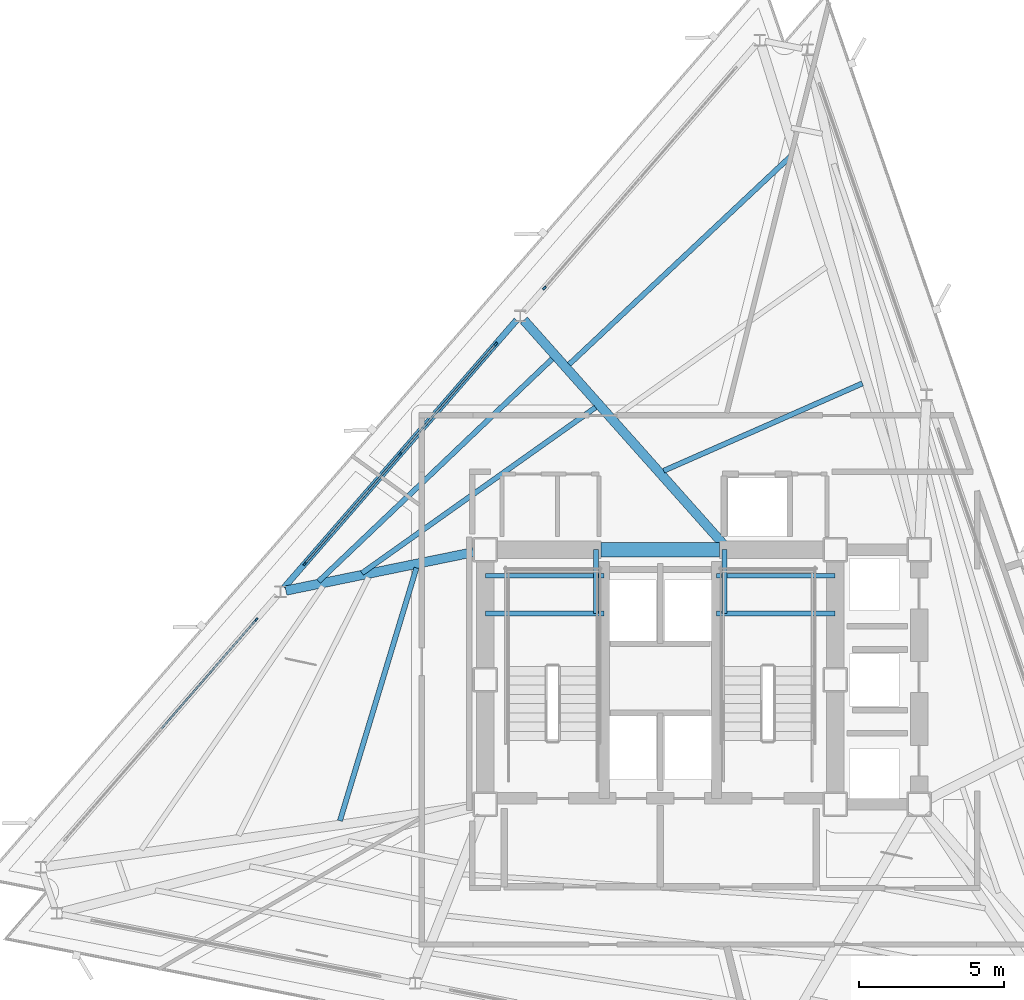
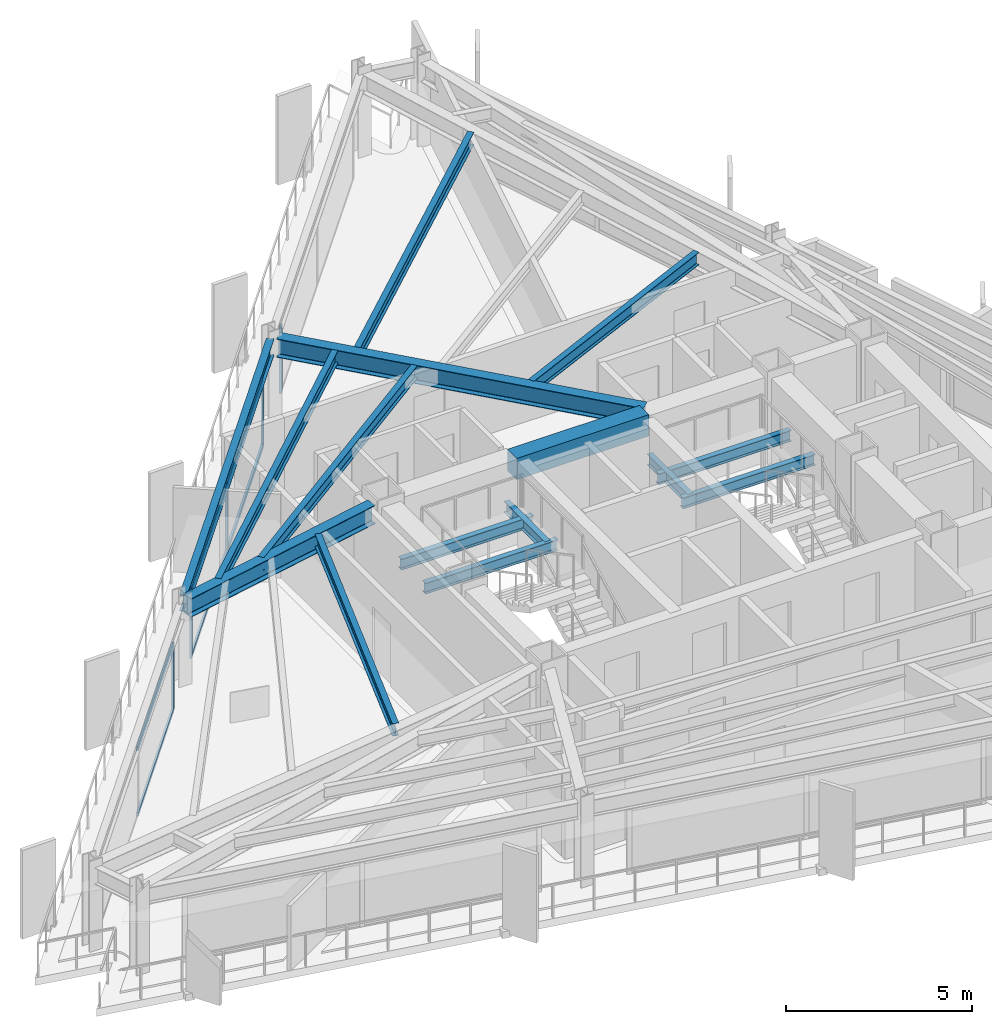
# One storey, part 4 of 13: 15 beams, 11 members, 3 elements without a shape of their own.
"""IFC4 building model written with IfcOpenShell, lengths in metres."""

from ifc_helpers import new_model, si_unit, direction, frame, origin, origin_2d, place, context, subcontext, project, spatial, rectangle, i_section, extrude, material, layer, layer_set, material_profile, profile_set, type_object, element, aggregate, save


model = new_model("IFC4")

# Units and contexts
model_context = context("Model", 3, precision=1e-05, world=origin(), true_north=direction((0.0, 1.0)))
body_context = subcontext(model_context, "Body", "Model", "MODEL_VIEW")
ifc_project = project(units=[si_unit("LENGTHUNIT", "METRE"), si_unit("AREAUNIT", "SQUARE_METRE"), si_unit("VOLUMEUNIT", "CUBIC_METRE"), si_unit("PLANEANGLEUNIT", "RADIAN"), si_unit("MASSUNIT", "GRAM", prefix="KILO")], contexts=[model_context])

# Site, building, storey
site_placement = place(None, origin())
site = spatial("IfcSite", under=ifc_project, at=site_placement, CompositionType="ELEMENT")
building_placement = place(site_placement, origin())
building = spatial("IfcBuilding", under=site, at=building_placement, Name="Rocaltana Carrier Exchange", CompositionType="ELEMENT")
storey_placement = place(building_placement, frame((0.0, 0.0, 153.280029296875)))
storey = spatial("IfcBuildingStorey", under=building, at=storey_placement, Name="L48", CompositionType="ELEMENT", Elevation=153.280029296875)

# Curtain wall, member
ifc_material_1 = material(Name="Aluminium 6063-T6", Category="aluminium")
ifc_layer = layer(ifc_material_1, 0.135009765625)
ifc_layer_set = layer_set([ifc_layer], Name="Aluminium 6063-T6")
curtain_wall_type = type_object("IfcCurtainWallType", Name="Upper-Mid Acoustic Curtain Wall CW-04", PredefinedType="NOTDEFINED", material=ifc_layer_set)
curtain_wall_1_placement = place(storey_placement, origin())
curtain_wall_1 = element("IfcCurtainWall", 1, at=curtain_wall_1_placement, inside=storey, type_object=curtain_wall_type, Name="L48 CW-04 Run CW-L48-F2S1", PredefinedType="NOTDEFINED")
ifc_material_2 = material(Name="Aluminium 6063-T6", Category="aluminium")
ifc_material_profile_1 = material_profile(ifc_material_2, rectangle(XDim=0.06494140625, YDim=0.135009765625, at=origin_2d()), Name="AL-65X135")
ifc_profile_set_1 = profile_set([ifc_material_profile_1], Name="Aluminium 6063-T6")
member_type_1 = type_object("IfcMemberType", Name="CW-04 Mullion AL-65X135", PredefinedType="MULLION", material=ifc_profile_set_1)
member_1_placement = place(storey_placement, frame((-4.005859375, 13.55126953125, 0.0), z_axis=(0.0, 0.0, 1.0), x_axis=(0.75471173919, -0.656056545375, 0.0)))
member_1 = element("IfcMember", 2, at=member_1_placement, type_object=member_type_1, Name="CW-04 mullion 3", PredefinedType="MULLION", context=body_context, shape_type="SweptSolid", body=[
    extrude(rectangle(XDim=0.06494140625, YDim=0.135009765625, at=origin_2d()), origin(), (0.0, 0.0, 1.0), 2.218017578125),
])
aggregate(curtain_wall_1, [member_1])

# Curtain wall, members
curtain_wall_2_placement = place(storey_placement, origin())
curtain_wall_2 = element("IfcCurtainWall", 3, at=curtain_wall_2_placement, inside=storey, type_object=curtain_wall_type, Name="L48 CW-04 Run CW-L48-F2S2", PredefinedType="NOTDEFINED")
member_2_placement = place(storey_placement, frame((-5.688720703125, 11.615478515625, 0.0), z_axis=(0.0, 0.0, 1.0), x_axis=(0.75471173919, -0.656056545375, 0.0)))
member_2 = element("IfcMember", 4, at=member_2_placement, type_object=member_type_1, Name="CW-04 mullion 1", PredefinedType="MULLION", context=body_context, shape_type="SweptSolid", body=[
    extrude(rectangle(XDim=0.06494140625, YDim=0.135009765625, at=origin_2d()), origin(), (0.0, 0.0, 1.0), 2.218017578125),
])
member_3_placement = place(storey_placement, frame((-8.9912109375, 7.816162109375, 0.0), z_axis=(0.0, 0.0, 1.0), x_axis=(0.75471173919, -0.656056545375, 0.0)))
member_3 = element("IfcMember", 5, at=member_3_placement, type_object=member_type_1, Name="CW-04 mullion 2", PredefinedType="MULLION", context=body_context, shape_type="SweptSolid", body=[
    extrude(rectangle(XDim=0.06494140625, YDim=0.135009765625, at=origin_2d()), origin(), (0.0, 0.0, 1.0), 2.218017578125),
])
member_4_placement = place(storey_placement, frame((-12.2939453125, 4.016845703125, 0.0), z_axis=(0.0, 0.0, 1.0), x_axis=(0.75471173919, -0.656056545375, 0.0)))
member_4 = element("IfcMember", 6, at=member_4_placement, type_object=member_type_1, Name="CW-04 mullion 3", PredefinedType="MULLION", context=body_context, shape_type="SweptSolid", body=[
    extrude(rectangle(XDim=0.06494140625, YDim=0.135009765625, at=origin_2d()), origin(), (0.0, 0.0, 1.0), 2.218017578125),
])

# Curtain wall, member
curtain_wall_3_placement = place(storey_placement, origin())
curtain_wall_3 = element("IfcCurtainWall", 7, at=curtain_wall_3_placement, inside=storey, type_object=curtain_wall_type, Name="L48 CW-04 Run CW-L48-F2S3", PredefinedType="NOTDEFINED")
member_5_placement = place(storey_placement, frame((-13.976806640625, 2.080810546875, 0.0), z_axis=(0.0, 0.0, 1.0), x_axis=(0.75471173919, -0.656056545375, 0.0)))
member_5 = element("IfcMember", 8, at=member_5_placement, type_object=member_type_1, Name="CW-04 mullion 1", PredefinedType="MULLION", context=body_context, shape_type="SweptSolid", body=[
    extrude(rectangle(XDim=0.06494140625, YDim=0.135009765625, at=origin_2d()), origin(), (0.0, 0.0, 1.0), 2.218017578125),
])

# Member
ifc_material_3 = material(Name="Aluminium 6063-T6", Category="aluminium")
ifc_material_profile_2 = material_profile(ifc_material_3, rectangle(XDim=0.06494140625, YDim=0.135009765625, at=origin_2d()), Name="AL-65X135")
ifc_profile_set_2 = profile_set([ifc_material_profile_2], Name="Aluminium 6063-T6")
member_type_2 = type_object("IfcMemberType", Name="CW-04 Transom AL-65X135", PredefinedType="USERDEFINED", material=ifc_profile_set_2)
member_6_placement = place(storey_placement, frame((-5.7099609375, 11.5908203125, 0.032470703125), z_axis=(-0.656055850486, -0.754712343243, 0.0), x_axis=(0.754712343243, -0.656055850486, 0.0)))
member_6 = element("IfcMember", 9, at=member_6_placement, type_object=member_type_2, Name="CW-04 transom 1.1", ObjectType="TRANSOM", PredefinedType="USERDEFINED", context=body_context, shape_type="SweptSolid", body=[
    extrude(rectangle(XDim=0.06494140625, YDim=0.135009765625, at=origin_2d()), origin(), (0.0, 0.0, 1.0), 4.968994140625),
])

member_7_placement = place(storey_placement, frame((-5.7099609375, 11.5908203125, 2.185546875), z_axis=(-0.656055850486, -0.754712343243, 0.0), x_axis=(0.754712343243, -0.656055850486, 0.0)))
member_7 = element("IfcMember", 10, at=member_7_placement, type_object=member_type_2, Name="CW-04 transom 1.2", ObjectType="TRANSOM", PredefinedType="USERDEFINED", context=body_context, shape_type="SweptSolid", body=[
    extrude(rectangle(XDim=0.06494140625, YDim=0.135009765625, at=origin_2d()), origin(), (0.0, 0.0, 1.0), 4.968994140625),
])

member_8_placement = place(storey_placement, frame((-9.0126953125, 7.79150390625, 0.032470703125), z_axis=(-0.656055850486, -0.754712343243, 0.0), x_axis=(0.754712343243, -0.656055850486, 0.0)))
member_8 = element("IfcMember", 11, at=member_8_placement, type_object=member_type_2, Name="CW-04 transom 2.1", ObjectType="TRANSOM", PredefinedType="USERDEFINED", context=body_context, shape_type="SweptSolid", body=[
    extrude(rectangle(XDim=0.06494140625, YDim=0.135009765625, at=origin_2d()), origin(), (0.0, 0.0, 1.0), 4.968994140625),
])

member_9_placement = place(storey_placement, frame((-9.0126953125, 7.79150390625, 2.185546875), z_axis=(-0.656055850486, -0.754712343243, 0.0), x_axis=(0.754712343243, -0.656055850486, 0.0)))
member_9 = element("IfcMember", 12, at=member_9_placement, type_object=member_type_2, Name="CW-04 transom 2.2", ObjectType="TRANSOM", PredefinedType="USERDEFINED", context=body_context, shape_type="SweptSolid", body=[
    extrude(rectangle(XDim=0.06494140625, YDim=0.135009765625, at=origin_2d()), origin(), (0.0, 0.0, 1.0), 4.968994140625),
])

aggregate(curtain_wall_2, [member_2, member_3, member_4, member_6, member_7, member_8, member_9])

member_10_placement = place(storey_placement, frame((-13.998046875, 2.056396484375, 0.032470703125), z_axis=(-0.656055850486, -0.754712343243, 0.0), x_axis=(0.754712343243, -0.656055850486, 0.0)))
member_10 = element("IfcMember", 13, at=member_10_placement, type_object=member_type_2, Name="CW-04 transom 1.1", ObjectType="TRANSOM", PredefinedType="USERDEFINED", context=body_context, shape_type="SweptSolid", body=[
    extrude(rectangle(XDim=0.06494140625, YDim=0.135009765625, at=origin_2d()), origin(), (0.0, 0.0, 1.0), 4.968994140625),
])

member_11_placement = place(storey_placement, frame((-13.998046875, 2.056396484375, 2.185546875), z_axis=(-0.656055850486, -0.754712343243, 0.0), x_axis=(0.754712343243, -0.656055850486, 0.0)))
member_11 = element("IfcMember", 14, at=member_11_placement, type_object=member_type_2, Name="CW-04 transom 1.2", ObjectType="TRANSOM", PredefinedType="USERDEFINED", context=body_context, shape_type="SweptSolid", body=[
    extrude(rectangle(XDim=0.06494140625, YDim=0.135009765625, at=origin_2d()), origin(), (0.0, 0.0, 1.0), 4.968994140625),
])

aggregate(curtain_wall_3, [member_5, member_10, member_11])

# Beams
ifc_material_4 = material(Name="Concrete C60/75", Category="concrete")
ifc_material_profile_3 = material_profile(ifc_material_4, rectangle(XDim=0.5, YDim=0.699951171875, at=origin_2d()), Name="RC-BM-500X700")
ifc_profile_set_3 = profile_set([ifc_material_profile_3], Name="Concrete C60/75")
beam_type_1 = type_object("IfcBeamType", Name="Core Coupling Lintel 500x700", PredefinedType="LINTEL", material=ifc_profile_set_3)
beam_1_placement = place(storey_placement, frame((-2.050048828125, 4.5, 2.43798828125), z_axis=(1.0, 0.0, 0.0), x_axis=(0.0, 1.0, 0.0)))
element("IfcBeam", 15, at=beam_1_placement, inside=storey, type_object=beam_type_1, Name="L48 Core Coupling Lintel CL-N", PredefinedType="LINTEL", context=body_context, shape_type="SweptSolid", body=[
    extrude(rectangle(XDim=0.5, YDim=0.699951171875, at=origin_2d()), origin(), (0.0, 0.0, 1.0), 4.10009765625),
])
ifc_material_5 = material(Name="Steel S355", Category="steel")
ifc_material_profile_4 = material_profile(ifc_material_5, i_section(OverallWidth=0.172119140625, OverallDepth=0.35791015625, WebThickness=0.0078125, FlangeThickness=0.01318359375, FilletRadius=0.011962890625, at=origin_2d()), Name="W14X38")
ifc_profile_set_4 = profile_set([ifc_material_profile_4], Name="Steel S355")
beam_type_2 = type_object("IfcBeamType", Name="Floor Joist W14X38", PredefinedType="JOIST", material=ifc_profile_set_4)
for number, where, z_axis, x_axis, name in (
    (16, (-6.050048828125, 2.300048828125, 1.140869140625), (1.0, 0.0, 0.0), (0.0, 1.0, 0.0), "L48 ST-1 Landing Carrier 1"),
    (17, (1.93994140625, 2.300048828125, 1.140869140625), (1.0, 0.0, 0.0), (0.0, 1.0, 0.0), "L48 ST-2 Landing Carrier 1"),
    (18, (-6.050048828125, 3.60009765625, 1.140869140625), (1.0, 0.0, 0.0), (0.0, 1.0, 0.0), "L48 ST-1 Landing Carrier 2"),
    (19, (1.93994140625, 3.60009765625, 1.140869140625), (1.0, 0.0, 0.0), (0.0, 1.0, 0.0), "L48 ST-2 Landing Carrier 2"),
):
    element("IfcBeam", number, at=place(storey_placement, frame(where, z_axis=z_axis, x_axis=x_axis)), inside=storey, type_object=beam_type_2, Name=name, PredefinedType="JOIST", context=body_context, shape_type="SweptSolid", body=[
        extrude(i_section(OverallWidth=0.172119140625, OverallDepth=0.35791015625, WebThickness=0.0078125, FlangeThickness=0.01318359375, FilletRadius=0.011962890625, at=origin_2d()), origin(), (0.0, 0.0, 1.0), 4.110107421875),
    ])
for number, where, z_axis, x_axis, name in (
    (20, (-2.219970703125, 2.300048828125, 1.140869140625), (0.0, 1.0, 0.0), (-1.0, 0.0, 0.0), "L48 ST-1 Landing Cross Trimmer"),
    (21, (2.219970703125, 2.300048828125, 1.140869140625), (0.0, 1.0, 0.0), (-1.0, 0.0, 0.0), "L48 ST-2 Landing Cross Trimmer"),
):
    element("IfcBeam", number, at=place(storey_placement, frame(where, z_axis=z_axis, x_axis=x_axis)), inside=storey, type_object=beam_type_2, Name=name, PredefinedType="JOIST", context=body_context, shape_type="SweptSolid", body=[
        extrude(i_section(OverallWidth=0.172119140625, OverallDepth=0.35791015625, WebThickness=0.0078125, FlangeThickness=0.01318359375, FilletRadius=0.011962890625, at=origin_2d()), origin(), (0.0, 0.0, 1.0), 2.199951171875),
    ])
ifc_material_6 = material(Name="Steel S355", Category="steel")
ifc_material_profile_5 = material_profile(ifc_material_6, i_section(OverallWidth=0.179931640625, OverallDepth=0.4130859375, WebThickness=0.009765625, FlangeThickness=0.01611328125, FilletRadius=0.012939453125, at=origin_2d()), Name="W16X50")
ifc_profile_set_5 = profile_set([ifc_material_profile_5], Name="Steel S355")
beam_type_3 = type_object("IfcBeamType", Name="Floor Joist W16X50", PredefinedType="JOIST", material=ifc_profile_set_5)
beam_2_placement = place(storey_placement, frame((6.9892578125, 10.251220703125, 2.58154296875), z_axis=(-0.915437763767, -0.402459564018, 0.0), x_axis=(0.402459564018, -0.915437763767, 0.0)))
element("IfcBeam", 22, at=beam_2_placement, inside=storey, type_object=beam_type_3, Name="FJ-L48-05-1", PredefinedType="JOIST", context=body_context, shape_type="SweptSolid", body=[
    extrude(i_section(OverallWidth=0.179931640625, OverallDepth=0.4130859375, WebThickness=0.009765625, FlangeThickness=0.01611328125, FilletRadius=0.012939453125, at=origin_2d()), origin(), (0.0, 0.0, 1.0), 7.50634765625),
])
beam_3_placement = place(storey_placement, frame((4.539306640625, 18.135009765625, 2.58154296875), z_axis=(-0.728861369792, -0.684661305774, 0.0), x_axis=(0.684661305774, -0.728861369792, 0.0)))
element("IfcBeam", 23, at=beam_3_placement, inside=storey, type_object=beam_type_3, Name="FJ-L48-05-3", PredefinedType="JOIST", context=body_context, shape_type="SweptSolid", body=[
    extrude(i_section(OverallWidth=0.179931640625, OverallDepth=0.4130859375, WebThickness=0.009765625, FlangeThickness=0.01611328125, FilletRadius=0.012939453125, at=origin_2d()), origin(), (0.0, 0.0, 1.0), 10.550048828125),
])
beam_4_placement = place(storey_placement, frame((-2.239501953125, 9.42138671875, 2.58154296875), z_axis=(-0.815531916739, -0.578712098353, 0.0), x_axis=(0.578712098353, -0.815531916739, 0.0)))
element("IfcBeam", 24, at=beam_4_placement, inside=storey, type_object=beam_type_3, Name="FJ-L48-06-2", PredefinedType="JOIST", context=body_context, shape_type="SweptSolid", body=[
    extrude(i_section(OverallWidth=0.179931640625, OverallDepth=0.4130859375, WebThickness=0.009765625, FlangeThickness=0.01611328125, FilletRadius=0.012939453125, at=origin_2d()), origin(), (0.0, 0.0, 1.0), 9.90283203125),
])
beam_5_placement = place(storey_placement, frame((-3.736572265625, 11.1015625, 2.58154296875), z_axis=(-0.724047932372, -0.689749658665, 0.0), x_axis=(0.689749658665, -0.724047932372, 0.0)))
element("IfcBeam", 25, at=beam_5_placement, inside=storey, type_object=beam_type_3, Name="FJ-L48-06-3", PredefinedType="JOIST", context=body_context, shape_type="SweptSolid", body=[
    extrude(i_section(OverallWidth=0.179931640625, OverallDepth=0.4130859375, WebThickness=0.009765625, FlangeThickness=0.01611328125, FilletRadius=0.012939453125, at=origin_2d()), origin(), (0.0, 0.0, 1.0), 11.161376953125),
])
beam_6_placement = place(storey_placement, frame((-8.433349609375, 3.871826171875, 2.58154296875), z_axis=(-0.289517060533, -0.957172853596, 0.0), x_axis=(0.957172853596, -0.289517060533, 0.0)))
element("IfcBeam", 26, at=beam_6_placement, inside=storey, type_object=beam_type_3, Name="FJ-L48-07-1", PredefinedType="JOIST", context=body_context, shape_type="SweptSolid", body=[
    extrude(i_section(OverallWidth=0.179931640625, OverallDepth=0.4130859375, WebThickness=0.009765625, FlangeThickness=0.01611328125, FilletRadius=0.012939453125, at=origin_2d()), origin(), (0.0, 0.0, 1.0), 9.135009765625),
])
ifc_material_7 = material(Name="Steel S355", Category="steel")
ifc_material_profile_6 = material_profile(ifc_material_7, i_section(OverallWidth=0.323974609375, OverallDepth=0.611083984375, WebThickness=0.0126953125, FlangeThickness=0.01904296875, FilletRadius=0.01611328125, at=origin_2d()), Name="W24X104")
ifc_profile_set_6 = profile_set([ifc_material_profile_6], Name="Steel S355")
beam_type_4 = type_object("IfcBeamType", Name="Radial Girder W24X104", PredefinedType="BEAM", material=ifc_profile_set_6)
beam_7_placement = place(storey_placement, frame((2.189208984375, 4.6806640625, 2.482421875), z_axis=(-0.664999508704, 0.746843794527, 0.0), x_axis=(-0.746843794527, -0.664999508704, 0.0)))
element("IfcBeam", 27, at=beam_7_placement, inside=storey, type_object=beam_type_4, Name="RG-L48-06", PredefinedType="BEAM", context=body_context, shape_type="SweptSolid", body=[
    extrude(i_section(OverallWidth=0.323974609375, OverallDepth=0.611083984375, WebThickness=0.0126953125, FlangeThickness=0.01904296875, FilletRadius=0.01611328125, at=origin_2d()), origin(), (0.0, 0.0, 1.0), 10.3896484375),
])
beam_8_placement = place(storey_placement, frame((-6.45849609375, 4.416259765625, 2.482421875), z_axis=(-0.979662930215, -0.200650300681, 0.0), x_axis=(0.200650300681, -0.979662930215, 0.0)))
element("IfcBeam", 28, at=beam_8_placement, inside=storey, type_object=beam_type_4, Name="RG-L48-07", PredefinedType="BEAM", context=body_context, shape_type="SweptSolid", body=[
    extrude(i_section(OverallWidth=0.323974609375, OverallDepth=0.611083984375, WebThickness=0.0126953125, FlangeThickness=0.01904296875, FilletRadius=0.01611328125, at=origin_2d()), origin(), (0.0, 0.0, 1.0), 6.6240234375),
])
ifc_material_8 = material(Name="Steel S355", Category="steel")
ifc_material_profile_7 = material_profile(ifc_material_8, i_section(OverallWidth=0.2119140625, OverallDepth=0.5439453125, WebThickness=0.01318359375, FlangeThickness=0.021240234375, FilletRadius=0.014892578125, at=origin_2d()), Name="W21X83")
ifc_profile_set_7 = profile_set([ifc_material_profile_7], Name="Steel S355")
beam_type_5 = type_object("IfcBeamType", Name="Spandrel Edge Beam W21X83", PredefinedType="SPANDREL", material=ifc_profile_set_7)
beam_9_placement = place(storey_placement, frame((-4.972900390625, 12.438720703125, 2.515869140625), z_axis=(-0.656058807926, -0.754709772391, 0.0), x_axis=(0.754709772391, -0.656058807926, 0.0)))
element("IfcBeam", 29, at=beam_9_placement, inside=storey, type_object=beam_type_5, Name="SP-L48-06", PredefinedType="SPANDREL", context=body_context, shape_type="SweptSolid", body=[
    extrude(i_section(OverallWidth=0.2119140625, OverallDepth=0.5439453125, WebThickness=0.01318359375, FlangeThickness=0.021240234375, FilletRadius=0.014892578125, at=origin_2d()), origin(), (0.0, 0.0, 1.0), 12.250244140625),
])

save(model, "model.ifc")
